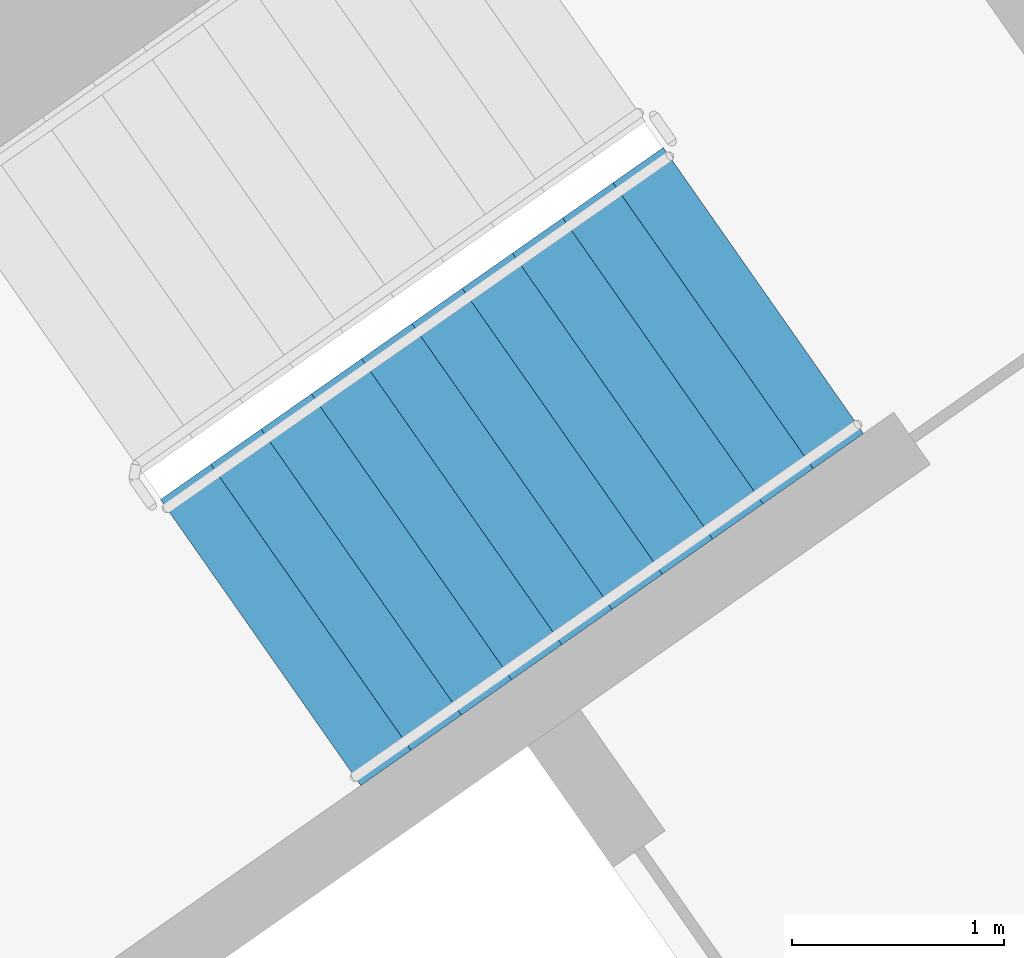
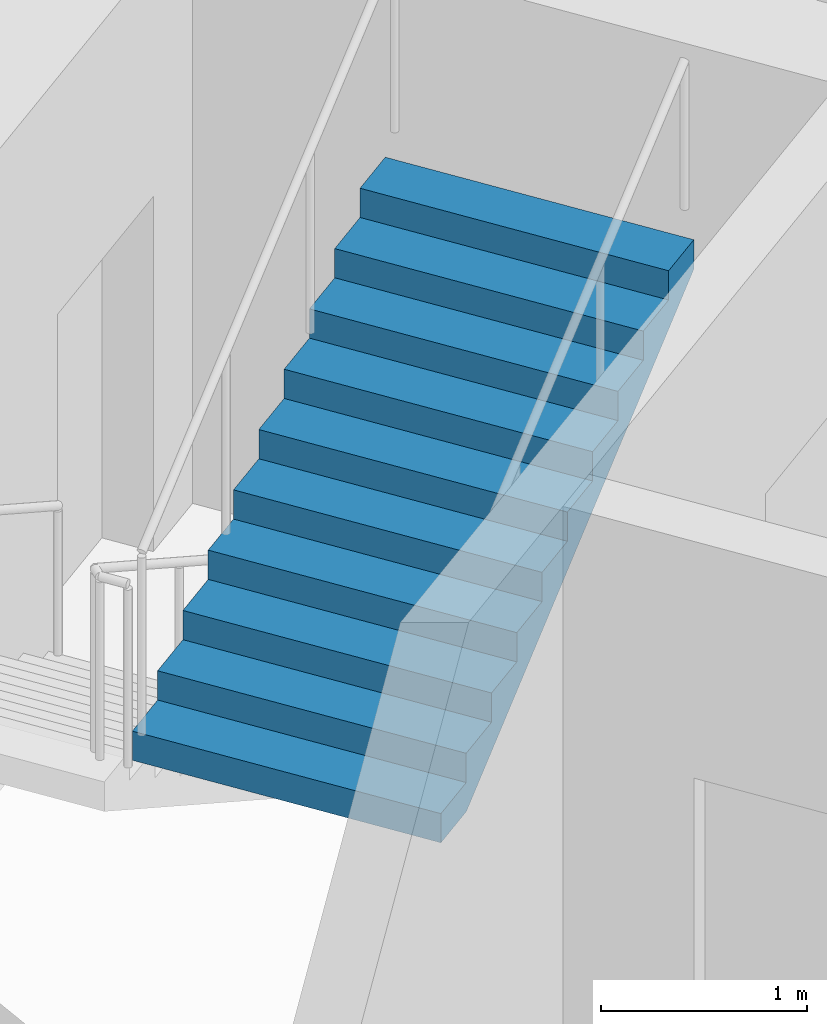
# One storey, part 14 of 30: 1 stair flight, 1 element without a shape of its own.
"""IFC4 building model written with IfcOpenShell, lengths in metres."""

from ifc_helpers import new_model, si_unit, direction, frame, origin, place, context, subcontext, project, spatial, faceted_brep, material, type_object, element, aggregate, save


model = new_model("IFC4")

# Units and contexts
model_context = context("Model", 3, precision=1e-05, world=origin(), true_north=direction((0.0, 1.0)))
body_context = subcontext(model_context, "Body", "Model", "MODEL_VIEW")
ifc_project = project(units=[si_unit("LENGTHUNIT", "METRE"), si_unit("AREAUNIT", "SQUARE_METRE"), si_unit("VOLUMEUNIT", "CUBIC_METRE"), si_unit("PLANEANGLEUNIT", "RADIAN"), si_unit("MASSUNIT", "GRAM", prefix="KILO")], contexts=[model_context])

# Site, building, storey
site_placement = place(None, origin())
site = spatial("IfcSite", under=ifc_project, at=site_placement, CompositionType="ELEMENT")
building_placement = place(site_placement, origin())
building = spatial("IfcBuilding", under=site, at=building_placement, Name="Qamariyya Broadcast Tower", CompositionType="ELEMENT")
storey_placement = place(building_placement, frame((0.0, 0.0, 203.699951171875)))
storey = spatial("IfcBuildingStorey", under=building, at=storey_placement, Name="L48", CompositionType="ELEMENT", Elevation=203.699951171875)

# Stair, stair flight
ifc_material = material(Name="Concrete C50/60", Category="concrete")
stair_type = type_object("IfcStairType", Name="Exit stair 22 risers of 173 mm", PredefinedType="HALF_TURN_STAIR", material=ifc_material)
stair_placement = place(storey_placement, origin())
stair = element("IfcStair", 1, at=stair_placement, inside=storey, type_object=stair_type, Name="L48 Stair E2", PredefinedType="HALF_TURN_STAIR")
stair_flight_type = type_object("IfcStairFlightType", Name="Exit stair flight 11 risers of 173 mm", PredefinedType="STRAIGHT", material=ifc_material)
stair_flight_placement = place(storey_placement, frame((39.215576171875, -50.822998046875, 1.900146484375), z_axis=(0.0, 0.0, 1.0), x_axis=(0.819152044289, 0.573576436351, 0.0)))
stair_flight = element("IfcStairFlight", 2, at=stair_flight_placement, type_object=stair_flight_type, Name="ST-E2 flight 2", NumberOfRisers=11, NumberOfTreads=10, PredefinedType="STRAIGHT", RiserHeight=0.172727273, TreadLength=0.29, context=body_context, shape_type="Brep", body=[
    faceted_brep([(0.0, 0.824951171875, 0.0), (0.0, 0.824951171875, 0.172607421875), (0.2900390625, 0.824951171875, 0.172607421875), (0.2900390625, 0.824951171875, 0.345458984375), (0.580078125, 0.824951171875, 0.345458984375), (0.580078125, 0.824951171875, 0.51806640625), (0.8701171875, 0.824951171875, 0.51806640625), (0.8701171875, 0.824951171875, 0.69091796875), (1.159912109375, 0.824951171875, 0.69091796875), (1.159912109375, 0.824951171875, 0.863525390625), (1.449951171875, 0.824951171875, 0.863525390625), (1.449951171875, 0.824951171875, 1.036376953125), (1.739990234375, 0.824951171875, 1.036376953125), (1.739990234375, 0.824951171875, 1.208984375), (2.030029296875, 0.824951171875, 1.208984375), (2.030029296875, 0.824951171875, 1.3818359375), (2.320068359375, 0.824951171875, 1.3818359375), (2.320068359375, 0.824951171875, 1.554443359375), (2.610107421875, 0.824951171875, 1.554443359375), (2.610107421875, 0.824951171875, 1.727294921875), (2.89990234375, 0.824951171875, 1.727294921875), (2.89990234375, 0.824951171875, 1.552734375), (0.29296875, 0.824951171875, 0.0), (0.29296875, -0.824951171875, 0.0), (2.89990234375, -0.824951171875, 1.552734375), (2.89990234375, -0.824951171875, 1.727294921875), (2.610107421875, -0.824951171875, 1.727294921875), (2.610107421875, -0.824951171875, 1.554443359375), (2.320068359375, -0.824951171875, 1.554443359375), (2.320068359375, -0.824951171875, 1.3818359375), (2.030029296875, -0.824951171875, 1.3818359375), (2.030029296875, -0.824951171875, 1.208984375), (1.739990234375, -0.824951171875, 1.208984375), (1.739990234375, -0.824951171875, 1.036376953125), (1.449951171875, -0.824951171875, 1.036376953125), (1.449951171875, -0.824951171875, 0.863525390625), (1.159912109375, -0.824951171875, 0.863525390625), (1.159912109375, -0.824951171875, 0.69091796875), (0.8701171875, -0.824951171875, 0.69091796875), (0.8701171875, -0.824951171875, 0.51806640625), (0.580078125, -0.824951171875, 0.51806640625), (0.580078125, -0.824951171875, 0.345458984375), (0.2900390625, -0.824951171875, 0.345458984375), (0.2900390625, -0.824951171875, 0.172607421875), (0.0, -0.824951171875, 0.172607421875), (0.0, -0.824951171875, 0.0), (0.0, 0.10009765625, 0.0), (0.0, 0.086669921875, 0.0), (0.0, 0.0732421875, 0.0), (0.0, 0.06005859375, 0.0), (0.0, 0.046630859375, 0.0), (0.0, 0.033447265625, 0.0), (0.0, 0.02001953125, 0.0), (0.0, 0.006591796875, 0.0), (0.0, -0.006591796875, 0.0), (0.0, -0.02001953125, 0.0), (0.0, -0.033447265625, 0.0), (0.0, -0.046630859375, 0.0), (0.0, -0.06005859375, 0.0), (0.0, -0.0732421875, 0.0), (0.0, -0.086669921875, 0.0), (0.0, -0.10009765625, 0.0), (0.0, -0.10009765625, 0.172607421875), (0.0, -0.086669921875, 0.172607421875), (0.0, -0.0732421875, 0.172607421875), (0.0, -0.06005859375, 0.172607421875), (0.0, -0.046630859375, 0.172607421875), (0.0, -0.033447265625, 0.172607421875), (0.0, -0.02001953125, 0.172607421875), (0.0, -0.006591796875, 0.172607421875), (0.0, 0.006591796875, 0.172607421875), (0.0, 0.02001953125, 0.172607421875), (0.0, 0.033447265625, 0.172607421875), (0.0, 0.046630859375, 0.172607421875), (0.0, 0.06005859375, 0.172607421875), (0.0, 0.0732421875, 0.172607421875), (0.0, 0.086669921875, 0.172607421875), (0.0, 0.10009765625, 0.172607421875), (0.2900390625, -0.10009765625, 0.172607421875), (0.2900390625, -0.086669921875, 0.172607421875), (0.2900390625, -0.0732421875, 0.172607421875), (0.2900390625, -0.06005859375, 0.172607421875), (0.2900390625, -0.046630859375, 0.172607421875), (0.2900390625, -0.033447265625, 0.172607421875), (0.2900390625, -0.02001953125, 0.172607421875), (0.2900390625, -0.006591796875, 0.172607421875), (0.2900390625, 0.006591796875, 0.172607421875), (0.2900390625, 0.02001953125, 0.172607421875), (0.2900390625, 0.033447265625, 0.172607421875), (0.2900390625, 0.046630859375, 0.172607421875), (0.2900390625, 0.06005859375, 0.172607421875), (0.2900390625, 0.0732421875, 0.172607421875), (0.2900390625, 0.086669921875, 0.172607421875), (0.2900390625, 0.10009765625, 0.172607421875), (0.2900390625, -0.10009765625, 0.345458984375), (0.2900390625, -0.086669921875, 0.345458984375), (0.2900390625, -0.0732421875, 0.345458984375), (0.2900390625, -0.06005859375, 0.345458984375), (0.2900390625, -0.046630859375, 0.345458984375), (0.2900390625, -0.033447265625, 0.345458984375), (0.2900390625, -0.02001953125, 0.345458984375), (0.2900390625, -0.006591796875, 0.345458984375), (0.2900390625, 0.006591796875, 0.345458984375), (0.2900390625, 0.02001953125, 0.345458984375), (0.2900390625, 0.033447265625, 0.345458984375), (0.2900390625, 0.046630859375, 0.345458984375), (0.2900390625, 0.06005859375, 0.345458984375), (0.2900390625, 0.0732421875, 0.345458984375), (0.2900390625, 0.086669921875, 0.345458984375), (0.2900390625, 0.10009765625, 0.345458984375), (0.580078125, -0.10009765625, 0.345458984375), (0.580078125, -0.086669921875, 0.345458984375), (0.580078125, -0.0732421875, 0.345458984375), (0.580078125, -0.06005859375, 0.345458984375), (0.580078125, -0.046630859375, 0.345458984375), (0.580078125, -0.033447265625, 0.345458984375), (0.580078125, -0.02001953125, 0.345458984375), (0.580078125, -0.006591796875, 0.345458984375), (0.580078125, 0.006591796875, 0.345458984375), (0.580078125, 0.02001953125, 0.345458984375), (0.580078125, 0.033447265625, 0.345458984375), (0.580078125, 0.046630859375, 0.345458984375), (0.580078125, 0.06005859375, 0.345458984375), (0.580078125, 0.0732421875, 0.345458984375), (0.580078125, 0.086669921875, 0.345458984375), (0.580078125, 0.10009765625, 0.345458984375), (0.580078125, -0.10009765625, 0.51806640625), (0.580078125, -0.086669921875, 0.51806640625), (0.580078125, -0.0732421875, 0.51806640625), (0.580078125, -0.06005859375, 0.51806640625), (0.580078125, -0.046630859375, 0.51806640625), (0.580078125, -0.033447265625, 0.51806640625), (0.580078125, -0.02001953125, 0.51806640625), (0.580078125, -0.006591796875, 0.51806640625), (0.580078125, 0.006591796875, 0.51806640625), (0.580078125, 0.02001953125, 0.51806640625), (0.580078125, 0.033447265625, 0.51806640625), (0.580078125, 0.046630859375, 0.51806640625), (0.580078125, 0.06005859375, 0.51806640625), (0.580078125, 0.0732421875, 0.51806640625), (0.580078125, 0.086669921875, 0.51806640625), (0.580078125, 0.10009765625, 0.51806640625), (0.8701171875, -0.10009765625, 0.51806640625), (0.8701171875, -0.086669921875, 0.51806640625), (0.8701171875, -0.0732421875, 0.51806640625), (0.8701171875, -0.06005859375, 0.51806640625), (0.8701171875, -0.046630859375, 0.51806640625), (0.8701171875, -0.033447265625, 0.51806640625), (0.8701171875, -0.02001953125, 0.51806640625), (0.8701171875, -0.006591796875, 0.51806640625), (0.8701171875, 0.006591796875, 0.51806640625), (0.8701171875, 0.02001953125, 0.51806640625), (0.8701171875, 0.033447265625, 0.51806640625), (0.8701171875, 0.046630859375, 0.51806640625), (0.8701171875, 0.06005859375, 0.51806640625), (0.8701171875, 0.0732421875, 0.51806640625), (0.8701171875, 0.086669921875, 0.51806640625), (0.8701171875, 0.10009765625, 0.51806640625), (0.8701171875, -0.10009765625, 0.69091796875), (0.8701171875, -0.086669921875, 0.69091796875), (0.8701171875, -0.0732421875, 0.69091796875), (0.8701171875, -0.06005859375, 0.69091796875), (0.8701171875, -0.046630859375, 0.69091796875), (0.8701171875, -0.033447265625, 0.69091796875), (0.8701171875, -0.02001953125, 0.69091796875), (0.8701171875, -0.006591796875, 0.69091796875), (0.8701171875, 0.006591796875, 0.69091796875), (0.8701171875, 0.02001953125, 0.69091796875), (0.8701171875, 0.033447265625, 0.69091796875), (0.8701171875, 0.046630859375, 0.69091796875), (0.8701171875, 0.06005859375, 0.69091796875), (0.8701171875, 0.0732421875, 0.69091796875), (0.8701171875, 0.086669921875, 0.69091796875), (0.8701171875, 0.10009765625, 0.69091796875), (1.159912109375, -0.10009765625, 0.69091796875), (1.159912109375, -0.086669921875, 0.69091796875), (1.159912109375, -0.0732421875, 0.69091796875), (1.159912109375, -0.06005859375, 0.69091796875), (1.159912109375, -0.046630859375, 0.69091796875), (1.159912109375, -0.033447265625, 0.69091796875), (1.159912109375, -0.02001953125, 0.69091796875), (1.159912109375, -0.006591796875, 0.69091796875), (1.159912109375, 0.006591796875, 0.69091796875), (1.159912109375, 0.02001953125, 0.69091796875), (1.159912109375, 0.033447265625, 0.69091796875), (1.159912109375, 0.046630859375, 0.69091796875), (1.159912109375, 0.06005859375, 0.69091796875), (1.159912109375, 0.0732421875, 0.69091796875), (1.159912109375, 0.086669921875, 0.69091796875), (1.159912109375, 0.10009765625, 0.69091796875), (1.159912109375, -0.10009765625, 0.863525390625), (1.159912109375, -0.086669921875, 0.863525390625), (1.159912109375, -0.0732421875, 0.863525390625), (1.159912109375, -0.06005859375, 0.863525390625), (1.159912109375, -0.046630859375, 0.863525390625), (1.159912109375, -0.033447265625, 0.863525390625), (1.159912109375, -0.02001953125, 0.863525390625), (1.159912109375, -0.006591796875, 0.863525390625), (1.159912109375, 0.006591796875, 0.863525390625), (1.159912109375, 0.02001953125, 0.863525390625), (1.159912109375, 0.033447265625, 0.863525390625), (1.159912109375, 0.046630859375, 0.863525390625), (1.159912109375, 0.06005859375, 0.863525390625), (1.159912109375, 0.0732421875, 0.863525390625), (1.159912109375, 0.086669921875, 0.863525390625), (1.159912109375, 0.10009765625, 0.863525390625), (1.449951171875, -0.10009765625, 0.863525390625), (1.449951171875, -0.086669921875, 0.863525390625), (1.449951171875, -0.0732421875, 0.863525390625), (1.449951171875, -0.06005859375, 0.863525390625), (1.449951171875, -0.046630859375, 0.863525390625), (1.449951171875, -0.033447265625, 0.863525390625), (1.449951171875, -0.02001953125, 0.863525390625), (1.449951171875, -0.006591796875, 0.863525390625), (1.449951171875, 0.006591796875, 0.863525390625), (1.449951171875, 0.02001953125, 0.863525390625), (1.449951171875, 0.033447265625, 0.863525390625), (1.449951171875, 0.046630859375, 0.863525390625), (1.449951171875, 0.06005859375, 0.863525390625), (1.449951171875, 0.0732421875, 0.863525390625), (1.449951171875, 0.086669921875, 0.863525390625), (1.449951171875, 0.10009765625, 0.863525390625), (1.449951171875, -0.10009765625, 1.036376953125), (1.449951171875, -0.086669921875, 1.036376953125), (1.449951171875, -0.0732421875, 1.036376953125), (1.449951171875, -0.06005859375, 1.036376953125), (1.449951171875, -0.046630859375, 1.036376953125), (1.449951171875, -0.033447265625, 1.036376953125), (1.449951171875, -0.02001953125, 1.036376953125), (1.449951171875, -0.006591796875, 1.036376953125), (1.449951171875, 0.006591796875, 1.036376953125), (1.449951171875, 0.02001953125, 1.036376953125), (1.449951171875, 0.033447265625, 1.036376953125), (1.449951171875, 0.046630859375, 1.036376953125), (1.449951171875, 0.06005859375, 1.036376953125), (1.449951171875, 0.0732421875, 1.036376953125), (1.449951171875, 0.086669921875, 1.036376953125), (1.449951171875, 0.10009765625, 1.036376953125), (1.739990234375, -0.10009765625, 1.036376953125), (1.739990234375, -0.086669921875, 1.036376953125), (1.739990234375, -0.0732421875, 1.036376953125), (1.739990234375, -0.06005859375, 1.036376953125), (1.739990234375, -0.046630859375, 1.036376953125), (1.739990234375, -0.033447265625, 1.036376953125), (1.739990234375, -0.02001953125, 1.036376953125), (1.739990234375, -0.006591796875, 1.036376953125), (1.739990234375, 0.006591796875, 1.036376953125), (1.739990234375, 0.02001953125, 1.036376953125), (1.739990234375, 0.033447265625, 1.036376953125), (1.739990234375, 0.046630859375, 1.036376953125), (1.739990234375, 0.06005859375, 1.036376953125), (1.739990234375, 0.0732421875, 1.036376953125), (1.739990234375, 0.086669921875, 1.036376953125), (1.739990234375, 0.10009765625, 1.036376953125), (1.739990234375, -0.10009765625, 1.208984375), (1.739990234375, -0.086669921875, 1.208984375), (1.739990234375, -0.0732421875, 1.208984375), (1.739990234375, -0.06005859375, 1.208984375), (1.739990234375, -0.046630859375, 1.208984375), (1.739990234375, -0.033447265625, 1.208984375), (1.739990234375, -0.02001953125, 1.208984375), (1.739990234375, -0.006591796875, 1.208984375), (1.739990234375, 0.006591796875, 1.208984375), (1.739990234375, 0.02001953125, 1.208984375), (1.739990234375, 0.033447265625, 1.208984375), (1.739990234375, 0.046630859375, 1.208984375), (1.739990234375, 0.06005859375, 1.208984375), (1.739990234375, 0.0732421875, 1.208984375), (1.739990234375, 0.086669921875, 1.208984375), (1.739990234375, 0.10009765625, 1.208984375), (2.030029296875, -0.10009765625, 1.208984375), (2.030029296875, -0.086669921875, 1.208984375), (2.030029296875, -0.0732421875, 1.208984375), (2.030029296875, -0.06005859375, 1.208984375), (2.030029296875, -0.046630859375, 1.208984375), (2.030029296875, -0.033447265625, 1.208984375), (2.030029296875, -0.02001953125, 1.208984375), (2.030029296875, -0.006591796875, 1.208984375), (2.030029296875, 0.006591796875, 1.208984375), (2.030029296875, 0.02001953125, 1.208984375), (2.030029296875, 0.033447265625, 1.208984375), (2.030029296875, 0.046630859375, 1.208984375), (2.030029296875, 0.06005859375, 1.208984375), (2.030029296875, 0.0732421875, 1.208984375), (2.030029296875, 0.086669921875, 1.208984375), (2.030029296875, 0.10009765625, 1.208984375), (2.030029296875, -0.10009765625, 1.3818359375), (2.030029296875, -0.086669921875, 1.3818359375), (2.030029296875, -0.0732421875, 1.3818359375), (2.030029296875, -0.06005859375, 1.3818359375), (2.030029296875, -0.046630859375, 1.3818359375), (2.030029296875, -0.033447265625, 1.3818359375), (2.030029296875, -0.02001953125, 1.3818359375), (2.030029296875, -0.006591796875, 1.3818359375), (2.030029296875, 0.006591796875, 1.3818359375), (2.030029296875, 0.02001953125, 1.3818359375), (2.030029296875, 0.033447265625, 1.3818359375), (2.030029296875, 0.046630859375, 1.3818359375), (2.030029296875, 0.06005859375, 1.3818359375), (2.030029296875, 0.0732421875, 1.3818359375), (2.030029296875, 0.086669921875, 1.3818359375), (2.030029296875, 0.10009765625, 1.3818359375), (2.320068359375, -0.10009765625, 1.3818359375), (2.320068359375, -0.086669921875, 1.3818359375), (2.320068359375, -0.0732421875, 1.3818359375), (2.320068359375, -0.06005859375, 1.3818359375), (2.320068359375, -0.046630859375, 1.3818359375), (2.320068359375, -0.033447265625, 1.3818359375), (2.320068359375, -0.02001953125, 1.3818359375), (2.320068359375, -0.006591796875, 1.3818359375), (2.320068359375, 0.006591796875, 1.3818359375), (2.320068359375, 0.02001953125, 1.3818359375), (2.320068359375, 0.033447265625, 1.3818359375), (2.320068359375, 0.046630859375, 1.3818359375), (2.320068359375, 0.06005859375, 1.3818359375), (2.320068359375, 0.0732421875, 1.3818359375), (2.320068359375, 0.086669921875, 1.3818359375), (2.320068359375, 0.10009765625, 1.3818359375), (2.320068359375, -0.10009765625, 1.554443359375), (2.320068359375, -0.086669921875, 1.554443359375), (2.320068359375, -0.0732421875, 1.554443359375), (2.320068359375, -0.06005859375, 1.554443359375), (2.320068359375, -0.046630859375, 1.554443359375), (2.320068359375, -0.033447265625, 1.554443359375), (2.320068359375, -0.02001953125, 1.554443359375), (2.320068359375, -0.006591796875, 1.554443359375), (2.320068359375, 0.006591796875, 1.554443359375), (2.320068359375, 0.02001953125, 1.554443359375), (2.320068359375, 0.033447265625, 1.554443359375), (2.320068359375, 0.046630859375, 1.554443359375), (2.320068359375, 0.06005859375, 1.554443359375), (2.320068359375, 0.0732421875, 1.554443359375), (2.320068359375, 0.086669921875, 1.554443359375), (2.320068359375, 0.10009765625, 1.554443359375), (2.610107421875, -0.10009765625, 1.554443359375), (2.610107421875, -0.086669921875, 1.554443359375), (2.610107421875, -0.0732421875, 1.554443359375), (2.610107421875, -0.06005859375, 1.554443359375), (2.610107421875, -0.046630859375, 1.554443359375), (2.610107421875, -0.033447265625, 1.554443359375), (2.610107421875, -0.02001953125, 1.554443359375), (2.610107421875, -0.006591796875, 1.554443359375), (2.610107421875, 0.006591796875, 1.554443359375), (2.610107421875, 0.02001953125, 1.554443359375), (2.610107421875, 0.033447265625, 1.554443359375), (2.610107421875, 0.046630859375, 1.554443359375), (2.610107421875, 0.06005859375, 1.554443359375), (2.610107421875, 0.0732421875, 1.554443359375), (2.610107421875, 0.086669921875, 1.554443359375), (2.610107421875, 0.10009765625, 1.554443359375), (2.610107421875, -0.10009765625, 1.727294921875), (2.610107421875, -0.086669921875, 1.727294921875), (2.610107421875, -0.0732421875, 1.727294921875), (2.610107421875, -0.06005859375, 1.727294921875), (2.610107421875, -0.046630859375, 1.727294921875), (2.610107421875, -0.033447265625, 1.727294921875), (2.610107421875, -0.02001953125, 1.727294921875), (2.610107421875, -0.006591796875, 1.727294921875), (2.610107421875, 0.006591796875, 1.727294921875), (2.610107421875, 0.02001953125, 1.727294921875), (2.610107421875, 0.033447265625, 1.727294921875), (2.610107421875, 0.046630859375, 1.727294921875), (2.610107421875, 0.06005859375, 1.727294921875), (2.610107421875, 0.0732421875, 1.727294921875), (2.610107421875, 0.086669921875, 1.727294921875), (2.610107421875, 0.10009765625, 1.727294921875), (2.89990234375, -0.10009765625, 1.727294921875), (2.89990234375, -0.086669921875, 1.727294921875), (2.89990234375, -0.0732421875, 1.727294921875), (2.89990234375, -0.06005859375, 1.727294921875), (2.89990234375, -0.046630859375, 1.727294921875), (2.89990234375, -0.033447265625, 1.727294921875), (2.89990234375, -0.02001953125, 1.727294921875), (2.89990234375, -0.006591796875, 1.727294921875), (2.89990234375, 0.006591796875, 1.727294921875), (2.89990234375, 0.02001953125, 1.727294921875), (2.89990234375, 0.033447265625, 1.727294921875), (2.89990234375, 0.046630859375, 1.727294921875), (2.89990234375, 0.06005859375, 1.727294921875), (2.89990234375, 0.0732421875, 1.727294921875), (2.89990234375, 0.086669921875, 1.727294921875), (2.89990234375, 0.10009765625, 1.727294921875), (2.89990234375, -0.10009765625, 1.552734375), (2.89990234375, -0.086669921875, 1.552734375), (2.89990234375, -0.0732421875, 1.552734375), (2.89990234375, -0.06005859375, 1.552734375), (2.89990234375, -0.046630859375, 1.552734375), (2.89990234375, -0.033447265625, 1.552734375), (2.89990234375, -0.02001953125, 1.552734375), (2.89990234375, -0.006591796875, 1.552734375), (2.89990234375, 0.006591796875, 1.552734375), (2.89990234375, 0.02001953125, 1.552734375), (2.89990234375, 0.033447265625, 1.552734375), (2.89990234375, 0.046630859375, 1.552734375), (2.89990234375, 0.06005859375, 1.552734375), (2.89990234375, 0.0732421875, 1.552734375), (2.89990234375, 0.086669921875, 1.552734375), (2.89990234375, 0.10009765625, 1.552734375), (0.29296875, -0.10009765625, 0.0), (0.29296875, -0.086669921875, 0.0), (0.29296875, -0.0732421875, 0.0), (0.29296875, -0.06005859375, 0.0), (0.29296875, -0.046630859375, 0.0), (0.29296875, -0.033447265625, 0.0), (0.29296875, -0.02001953125, 0.0), (0.29296875, -0.006591796875, 0.0), (0.29296875, 0.006591796875, 0.0), (0.29296875, 0.02001953125, 0.0), (0.29296875, 0.033447265625, 0.0), (0.29296875, 0.046630859375, 0.0), (0.29296875, 0.06005859375, 0.0), (0.29296875, 0.0732421875, 0.0), (0.29296875, 0.086669921875, 0.0), (0.29296875, 0.10009765625, 0.0)], [[[0, 1, 2, 3, 4, 5, 6, 7, 8, 9, 10, 11, 12, 13, 14, 15, 16, 17, 18, 19, 20, 21, 22]], [[23, 24, 25, 26, 27, 28, 29, 30, 31, 32, 33, 34, 35, 36, 37, 38, 39, 40, 41, 42, 43, 44, 45]], [[0, 46, 47, 48, 49, 50, 51, 52, 53, 54, 55, 56, 57, 58, 59, 60, 61, 45, 44, 62, 63, 64, 65, 66, 67, 68, 69, 70, 71, 72, 73, 74, 75, 76, 77, 1]], [[1, 77, 76, 75, 74, 73, 72, 71, 70, 69, 68, 67, 66, 65, 64, 63, 62, 44, 43, 78, 79, 80, 81, 82, 83, 84, 85, 86, 87, 88, 89, 90, 91, 92, 93, 2]], [[2, 93, 92, 91, 90, 89, 88, 87, 86, 85, 84, 83, 82, 81, 80, 79, 78, 43, 42, 94, 95, 96, 97, 98, 99, 100, 101, 102, 103, 104, 105, 106, 107, 108, 109, 3]], [[3, 109, 108, 107, 106, 105, 104, 103, 102, 101, 100, 99, 98, 97, 96, 95, 94, 42, 41, 110, 111, 112, 113, 114, 115, 116, 117, 118, 119, 120, 121, 122, 123, 124, 125, 4]], [[4, 125, 124, 123, 122, 121, 120, 119, 118, 117, 116, 115, 114, 113, 112, 111, 110, 41, 40, 126, 127, 128, 129, 130, 131, 132, 133, 134, 135, 136, 137, 138, 139, 140, 141, 5]], [[5, 141, 140, 139, 138, 137, 136, 135, 134, 133, 132, 131, 130, 129, 128, 127, 126, 40, 39, 142, 143, 144, 145, 146, 147, 148, 149, 150, 151, 152, 153, 154, 155, 156, 157, 6]], [[6, 157, 156, 155, 154, 153, 152, 151, 150, 149, 148, 147, 146, 145, 144, 143, 142, 39, 38, 158, 159, 160, 161, 162, 163, 164, 165, 166, 167, 168, 169, 170, 171, 172, 173, 7]], [[7, 173, 172, 171, 170, 169, 168, 167, 166, 165, 164, 163, 162, 161, 160, 159, 158, 38, 37, 174, 175, 176, 177, 178, 179, 180, 181, 182, 183, 184, 185, 186, 187, 188, 189, 8]], [[8, 189, 188, 187, 186, 185, 184, 183, 182, 181, 180, 179, 178, 177, 176, 175, 174, 37, 36, 190, 191, 192, 193, 194, 195, 196, 197, 198, 199, 200, 201, 202, 203, 204, 205, 9]], [[9, 205, 204, 203, 202, 201, 200, 199, 198, 197, 196, 195, 194, 193, 192, 191, 190, 36, 35, 206, 207, 208, 209, 210, 211, 212, 213, 214, 215, 216, 217, 218, 219, 220, 221, 10]], [[10, 221, 220, 219, 218, 217, 216, 215, 214, 213, 212, 211, 210, 209, 208, 207, 206, 35, 34, 222, 223, 224, 225, 226, 227, 228, 229, 230, 231, 232, 233, 234, 235, 236, 237, 11]], [[11, 237, 236, 235, 234, 233, 232, 231, 230, 229, 228, 227, 226, 225, 224, 223, 222, 34, 33, 238, 239, 240, 241, 242, 243, 244, 245, 246, 247, 248, 249, 250, 251, 252, 253, 12]], [[12, 253, 252, 251, 250, 249, 248, 247, 246, 245, 244, 243, 242, 241, 240, 239, 238, 33, 32, 254, 255, 256, 257, 258, 259, 260, 261, 262, 263, 264, 265, 266, 267, 268, 269, 13]], [[13, 269, 268, 267, 266, 265, 264, 263, 262, 261, 260, 259, 258, 257, 256, 255, 254, 32, 31, 270, 271, 272, 273, 274, 275, 276, 277, 278, 279, 280, 281, 282, 283, 284, 285, 14]], [[14, 285, 284, 283, 282, 281, 280, 279, 278, 277, 276, 275, 274, 273, 272, 271, 270, 31, 30, 286, 287, 288, 289, 290, 291, 292, 293, 294, 295, 296, 297, 298, 299, 300, 301, 15]], [[15, 301, 300, 299, 298, 297, 296, 295, 294, 293, 292, 291, 290, 289, 288, 287, 286, 30, 29, 302, 303, 304, 305, 306, 307, 308, 309, 310, 311, 312, 313, 314, 315, 316, 317, 16]], [[16, 317, 316, 315, 314, 313, 312, 311, 310, 309, 308, 307, 306, 305, 304, 303, 302, 29, 28, 318, 319, 320, 321, 322, 323, 324, 325, 326, 327, 328, 329, 330, 331, 332, 333, 17]], [[17, 333, 332, 331, 330, 329, 328, 327, 326, 325, 324, 323, 322, 321, 320, 319, 318, 28, 27, 334, 335, 336, 337, 338, 339, 340, 341, 342, 343, 344, 345, 346, 347, 348, 349, 18]], [[18, 349, 348, 347, 346, 345, 344, 343, 342, 341, 340, 339, 338, 337, 336, 335, 334, 27, 26, 350, 351, 352, 353, 354, 355, 356, 357, 358, 359, 360, 361, 362, 363, 364, 365, 19]], [[19, 365, 364, 363, 362, 361, 360, 359, 358, 357, 356, 355, 354, 353, 352, 351, 350, 26, 25, 366, 367, 368, 369, 370, 371, 372, 373, 374, 375, 376, 377, 378, 379, 380, 381, 20]], [[20, 381, 380, 379, 378, 377, 376, 375, 374, 373, 372, 371, 370, 369, 368, 367, 366, 25, 24, 382, 383, 384, 385, 386, 387, 388, 389, 390, 391, 392, 393, 394, 395, 396, 397, 21]], [[21, 397, 396, 395, 394, 393, 392, 391, 390, 389, 388, 387, 386, 385, 384, 383, 382, 24, 23, 398, 399, 400, 401, 402, 403, 404, 405, 406, 407, 408, 409, 410, 411, 412, 413, 22]], [[22, 413, 412, 411, 410, 409, 408, 407, 406, 405, 404, 403, 402, 401, 400, 399, 398, 23, 45, 61, 60, 59, 58, 57, 56, 55, 54, 53, 52, 51, 50, 49, 48, 47, 46, 0]]]),
])
aggregate(stair, [stair_flight])

save(model, "model.ifc")
